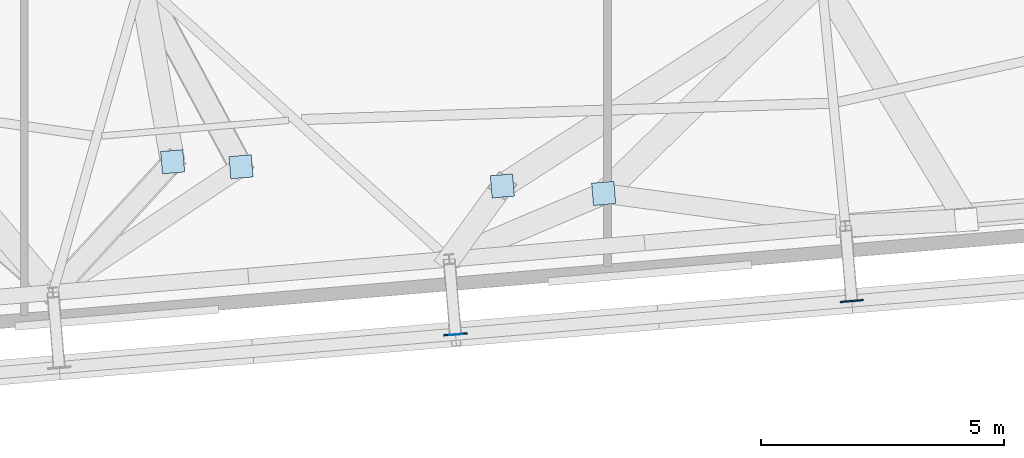
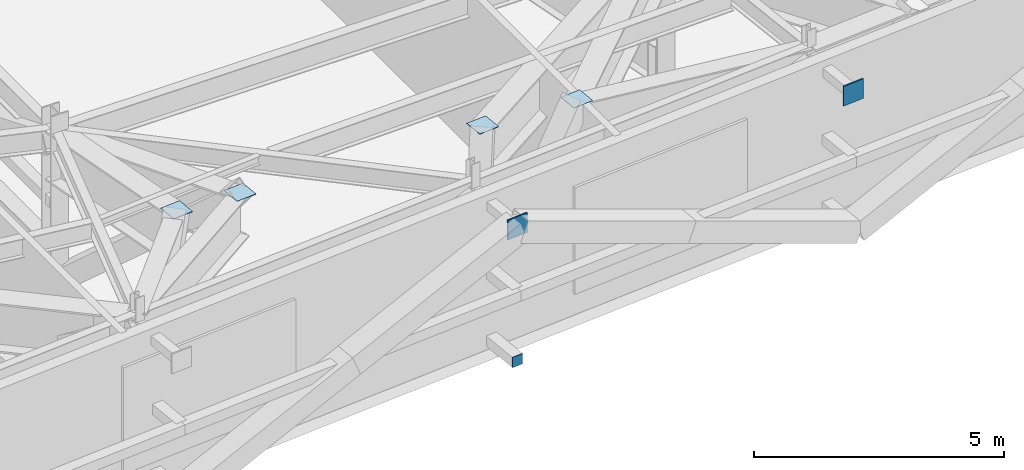
# One storey, part 16 of 26: 7 plates.
"""IFC4 building model written with IfcOpenShell, lengths in metres."""

from ifc_helpers import new_model, si_unit, direction, frame, origin, origin_2d, place, context, subcontext, project, spatial, rectangle, extrude, source, transform, mapped, material, layer, layer_set, type_object, element, save


model = new_model("IFC4")

# Units and contexts
model_context = context("Model", 3, precision=1e-05, world=origin(), true_north=direction((0.0, 1.0)))
body_context = subcontext(model_context, "Body", "Model", "MODEL_VIEW")
ifc_project = project(units=[si_unit("LENGTHUNIT", "METRE"), si_unit("AREAUNIT", "SQUARE_METRE"), si_unit("VOLUMEUNIT", "CUBIC_METRE"), si_unit("PLANEANGLEUNIT", "RADIAN"), si_unit("MASSUNIT", "GRAM", prefix="KILO")], contexts=[model_context])

# Site, building, storey
site_placement = place(None, origin())
site = spatial("IfcSite", under=ifc_project, at=site_placement, CompositionType="ELEMENT")
building_placement = place(site_placement, origin())
building = spatial("IfcBuilding", under=site, at=building_placement, Name="Taldren Reach Tower", CompositionType="ELEMENT")
storey_placement = place(building_placement, frame((0.0, 0.0, 207.199951171875)))
storey = spatial("IfcBuildingStorey", under=building, at=storey_placement, Name="L63", CompositionType="ELEMENT", Elevation=207.199951171875)

# Plates
ifc_material_1 = material(Name="Steel Gr 350 (C350L0)", Category="steel")
ifc_layer_1 = layer(ifc_material_1, 0.011962890625)
ifc_layer_set_1 = layer_set([ifc_layer_1], Name="Steel Gr 350 (C350L0)")
plate_type_1 = type_object("IfcPlateType", Name="PL-CAP-250", PredefinedType="SHEET", material=ifc_layer_set_1)
shared_shape_1 = source(origin(), body_context, "Body", "SweptSolid", [
    extrude(rectangle(XDim=0.25, YDim=0.011962890625, at=origin_2d()), origin(), (0.0, 0.0, 1.0), 0.25),
])
plate_placement = place(storey_placement, frame((34.472412109375, 1.912353515625, 0.094970703125), z_axis=(0.0, 0.0, 1.0), x_axis=(0.99649285925, 0.083677843332, 0.0)))
element("IfcPlate", 1, at=plate_placement, inside=storey, type_object=plate_type_1, Name="Tie strut end cap plate B4-S3 L63", PredefinedType="SHEET", context=body_context, shape_type="MappedRepresentation", body=[
    mapped(shared_shape_1, transform((0.0, 0.0, 0.0), scale=1.0)),
])
ifc_material_2 = material(Name="Steel Gr 450 (C450L0)", Category="steel")
ifc_layer_2 = layer(ifc_material_2, 0.011962890625)
ifc_layer_set_2 = layer_set([ifc_layer_2], Name="Steel Gr 450 (C450L0)")
plate_type_2 = type_object("IfcPlateType", Name="PL-CAP-460", PredefinedType="SHEET", material=ifc_layer_set_2)
shared_shape_2 = source(origin(), body_context, "Body", "SweptSolid", [
    extrude(rectangle(XDim=0.4599609375, YDim=0.4599609375, at=origin_2d()), origin(), (0.0, 0.0, 1.0), 0.011962890625),
])
for number, where, z_axis, x_axis, name in (
    (2, (30.060546875, 5.364501953125, 3.76806640625), (0.0, 0.0, 1.0), (0.99649285925, 0.083677843332, 0.0), "Transfer strut end cap plate TS-B5-S3 L63"),
    (3, (37.5205078125, 4.81689453125, 3.76806640625), (0.0, 0.0, 1.0), (0.99649285925, 0.083677843332, 0.0), "Transfer strut end cap plate TS-B5-S4 L63"),
    (4, (28.654296875, 5.4677734375, 3.76806640625), (0.0, 0.0, 1.0), (0.99649285925, 0.083677843332, 0.0), "Transfer strut end cap plate TS-B5-PJ1 L63"),
    (5, (35.43603515625, 4.9697265625, 3.76806640625), (0.0, 0.0, 1.0), (0.99649285925, 0.083677843332, 0.0), "Transfer strut end cap plate TS-B5-PJ2 L63"),
):
    element("IfcPlate", number, at=place(storey_placement, frame(where, z_axis=z_axis, x_axis=x_axis)), inside=storey, type_object=plate_type_2, Name=name, PredefinedType="SHEET", context=body_context, shape_type="MappedRepresentation", body=[
        mapped(shared_shape_2, transform((0.0, 0.0, 0.0), scale=1.0)),
    ])
ifc_layer_3 = layer(ifc_material_2, 0.031982421875)
ifc_layer_set_3 = layer_set([ifc_layer_3], Name="Steel Gr 450 (C450L0)")
plate_type_3 = type_object("IfcPlateType", Name="PL-GUSSET-32", PredefinedType="SHEET", material=ifc_layer_set_3)
shared_shape_3 = source(origin(), body_context, "Body", "SweptSolid", [
    extrude(rectangle(XDim=0.47998046875, YDim=0.031982421875, at=origin_2d()), origin(), (0.0, 0.0, 1.0), 0.47998046875),
])
for number, where, z_axis, x_axis, name in (
    (6, (34.471923828125, 1.91845703125, 3.260009765625), (0.0, 0.0, 1.0), (0.99649285925, 0.083677843332, 0.0), "Exoskeleton star-node gusset plate B4-S3 L63"),
    (7, (42.623291015625, 2.60302734375, 3.260009765625), (0.0, 0.0, 1.0), (0.99649285925, 0.083677843332, 0.0), "Exoskeleton star-node gusset plate B4-S4 L63"),
):
    element("IfcPlate", number, at=place(storey_placement, frame(where, z_axis=z_axis, x_axis=x_axis)), inside=storey, type_object=plate_type_3, Name=name, PredefinedType="SHEET", context=body_context, shape_type="MappedRepresentation", body=[
        mapped(shared_shape_3, transform((0.0, 0.0, 0.0), scale=1.0)),
    ])

save(model, "model.ifc")
